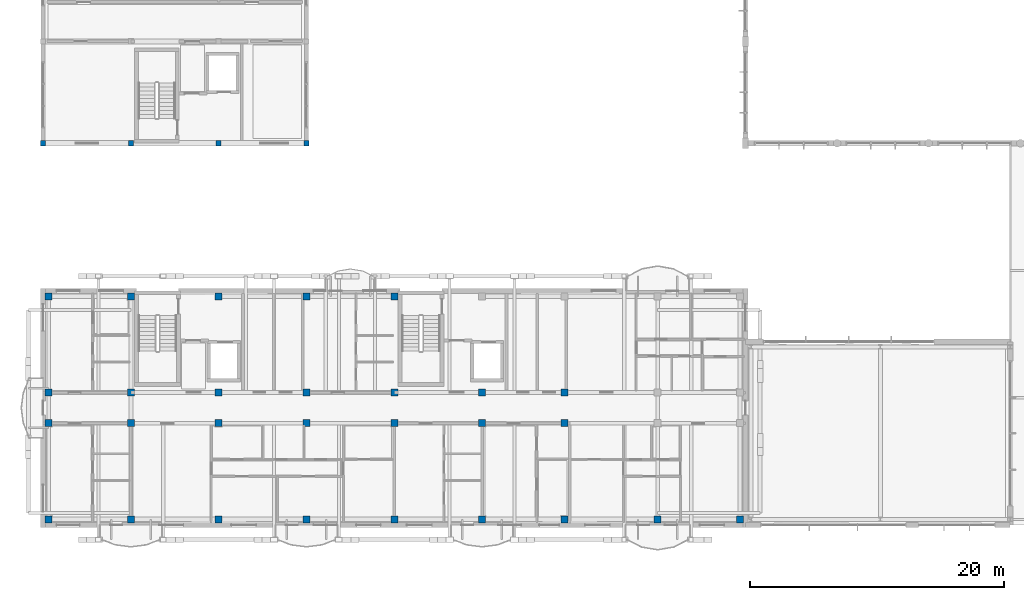
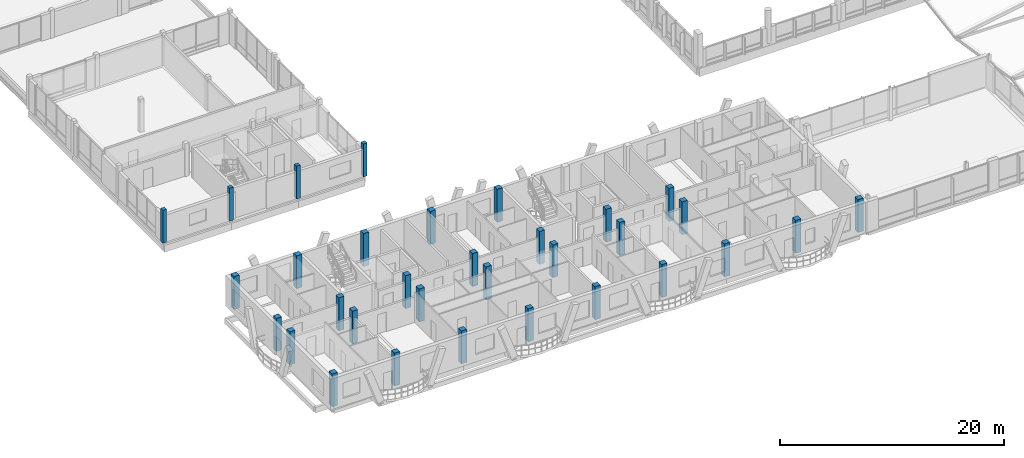
# One storey, part 1 of 189: 32 columns.
"""IFC4 building model written with IfcOpenShell, lengths in metres."""

from ifc_helpers import new_model, si_unit, direction, frame, origin, origin_2d, place, context, subcontext, project, spatial, rectangle, extrude, material, material_profile, profile_set, type_object, element, save


model = new_model("IFC4")

# Units and contexts
model_context = context("Model", 3, precision=1e-05, world=origin(), true_north=direction((0.0, 1.0)))
body_context = subcontext(model_context, "Body", "Model", "MODEL_VIEW")
ifc_project = project(units=[si_unit("LENGTHUNIT", "METRE"), si_unit("AREAUNIT", "SQUARE_METRE"), si_unit("VOLUMEUNIT", "CUBIC_METRE"), si_unit("PLANEANGLEUNIT", "RADIAN"), si_unit("MASSUNIT", "GRAM", prefix="KILO")], contexts=[model_context])

# Site, building, storey
site_placement = place(None, origin())
site = spatial("IfcSite", under=ifc_project, at=site_placement, CompositionType="ELEMENT")
building_placement = place(site_placement, origin())
building = spatial("IfcBuilding", under=site, at=building_placement, Name="Zavelmont Quarter", CompositionType="ELEMENT")
storey_placement = place(building_placement, frame((0.0, 0.0, 4.39990234375)))
storey = spatial("IfcBuildingStorey", under=building, at=storey_placement, Name="L01", CompositionType="ELEMENT", Elevation=4.39990234375)

# Columns
ifc_material_1 = material(Name="Concrete C40/50", Category="concrete")
ifc_material_profile_1 = material_profile(ifc_material_1, rectangle(XDim=0.550048828125, YDim=0.550048828125, at=origin_2d()), Name="RC550X550")
ifc_profile_set_1 = profile_set([ifc_material_profile_1], Name="Concrete C40/50")
column_type_1 = type_object("IfcColumnType", Name="CL02", PredefinedType="COLUMN", material=ifc_profile_set_1)
for number, where, z_axis, x_axis, name in (
    (1, (0.43994140625, 0.43994140625, 0.0), (0.0, 0.0, 1.0), (1.0, 0.0, 0.0), "L01 column CL02 at 1/A"),
    (2, (0.43994140625, 8.0, 0.0), (0.0, 0.0, 1.0), (1.0, 0.0, 0.0), "L01 column CL02 at 1/B"),
    (3, (0.43994140625, 10.39990234375, 0.0), (0.0, 0.0, 1.0), (1.0, 0.0, 0.0), "L01 column CL02 at 1/C"),
    (4, (0.43994140625, 17.9599609375, 0.0), (0.0, 0.0, 1.0), (1.0, 0.0, 0.0), "L01 column CL02 at 1/D"),
    (5, (6.89990234375, 0.43994140625, 0.0), (0.0, 0.0, 1.0), (1.0, 0.0, 0.0), "L01 column CL02 at 2/A"),
    (6, (6.89990234375, 8.0, 0.0), (0.0, 0.0, 1.0), (1.0, 0.0, 0.0), "L01 column CL02 at 2/B"),
    (7, (6.89990234375, 10.39990234375, 0.0), (0.0, 0.0, 1.0), (1.0, 0.0, 0.0), "L01 column CL02 at 2/C"),
    (8, (6.89990234375, 17.9599609375, 0.0), (0.0, 0.0, 1.0), (1.0, 0.0, 0.0), "L01 column CL02 at 2/D"),
    (9, (13.800048828125, 0.43994140625, 0.0), (0.0, 0.0, 1.0), (1.0, 0.0, 0.0), "L01 column CL02 at 3/A"),
    (10, (13.800048828125, 8.0, 0.0), (0.0, 0.0, 1.0), (1.0, 0.0, 0.0), "L01 column CL02 at 3/B"),
    (11, (13.800048828125, 10.39990234375, 0.0), (0.0, 0.0, 1.0), (1.0, 0.0, 0.0), "L01 column CL02 at 3/C"),
    (12, (13.800048828125, 17.9599609375, 0.0), (0.0, 0.0, 1.0), (1.0, 0.0, 0.0), "L01 column CL02 at 3/D"),
    (13, (20.699951171875, 0.43994140625, 0.0), (0.0, 0.0, 1.0), (1.0, 0.0, 0.0), "L01 column CL02 at 4/A"),
    (14, (20.699951171875, 8.0, 0.0), (0.0, 0.0, 1.0), (1.0, 0.0, 0.0), "L01 column CL02 at 4/B"),
    (15, (20.699951171875, 10.39990234375, 0.0), (0.0, 0.0, 1.0), (1.0, 0.0, 0.0), "L01 column CL02 at 4/C"),
    (16, (20.699951171875, 17.9599609375, 0.0), (0.0, 0.0, 1.0), (1.0, 0.0, 0.0), "L01 column CL02 at 4/D"),
    (17, (27.60009765625, 0.43994140625, 0.0), (0.0, 0.0, 1.0), (1.0, 0.0, 0.0), "L01 column CL02 at 5/A"),
    (18, (27.60009765625, 8.0, 0.0), (0.0, 0.0, 1.0), (1.0, 0.0, 0.0), "L01 column CL02 at 5/B"),
    (19, (27.60009765625, 10.39990234375, 0.0), (0.0, 0.0, 1.0), (1.0, 0.0, 0.0), "L01 column CL02 at 5/C"),
    (20, (27.60009765625, 17.9599609375, 0.0), (0.0, 0.0, 1.0), (1.0, 0.0, 0.0), "L01 column CL02 at 5/D"),
    (21, (34.5, 0.43994140625, 0.0), (0.0, 0.0, 1.0), (1.0, 0.0, 0.0), "L01 column CL02 at 6/A"),
    (22, (34.5, 8.0, 0.0), (0.0, 0.0, 1.0), (1.0, 0.0, 0.0), "L01 column CL02 at 6/B"),
    (23, (34.5, 10.39990234375, 0.0), (0.0, 0.0, 1.0), (1.0, 0.0, 0.0), "L01 column CL02 at 6/C"),
    (24, (40.9599609375, 0.43994140625, 0.0), (0.0, 0.0, 1.0), (1.0, 0.0, 0.0), "L01 column CL02 at 7/A"),
    (25, (40.9599609375, 8.0, 0.0), (0.0, 0.0, 1.0), (1.0, 0.0, 0.0), "L01 column CL02 at 7/B"),
    (26, (40.9599609375, 10.39990234375, 0.0), (0.0, 0.0, 1.0), (1.0, 0.0, 0.0), "L01 column CL02 at 7/C"),
    (27, (48.300048828125, 0.43994140625, 0.0), (0.0, 0.0, 1.0), (1.0, 0.0, 0.0), "L01 column CL02 at 8/A"),
    (28, (54.760009765625, 0.43994140625, 0.0), (0.0, 0.0, 1.0), (1.0, 0.0, 0.0), "L01 column CL02 at 9/A"),
):
    element("IfcColumn", number, at=place(storey_placement, frame(where, z_axis=z_axis, x_axis=x_axis)), inside=storey, type_object=column_type_1, Name=name, PredefinedType="COLUMN", context=body_context, shape_type="SweptSolid", body=[
        extrude(rectangle(XDim=0.550048828125, YDim=0.550048828125, at=origin_2d()), origin(), (0.0, 0.0, 1.0), 3.60009765625),
    ])
ifc_material_2 = material(Name="Concrete C35/45", Category="concrete")
ifc_material_profile_2 = material_profile(ifc_material_2, rectangle(XDim=0.39990234375, YDim=0.39990234375, at=origin_2d()), Name="RC400X400")
ifc_profile_set_2 = profile_set([ifc_material_profile_2], Name="Concrete C35/45")
column_type_2 = type_object("IfcColumnType", Name="CL05", PredefinedType="COLUMN", material=ifc_profile_set_2)
for number, where, z_axis, x_axis, name in (
    (29, (0.0, 30.0, 0.0), (0.0, 0.0, 1.0), (1.0, 0.0, 0.0), "L01 column CL05 at 1/F"),
    (30, (6.89990234375, 30.0, 0.0), (0.0, 0.0, 1.0), (1.0, 0.0, 0.0), "L01 column CL05 at 2/F"),
    (31, (13.800048828125, 30.0, 0.0), (0.0, 0.0, 1.0), (1.0, 0.0, 0.0), "L01 column CL05 at 3/F"),
    (32, (20.699951171875, 30.0, 0.0), (0.0, 0.0, 1.0), (1.0, 0.0, 0.0), "L01 column CL05 at 4/F"),
):
    element("IfcColumn", number, at=place(storey_placement, frame(where, z_axis=z_axis, x_axis=x_axis)), inside=storey, type_object=column_type_2, Name=name, PredefinedType="COLUMN", context=body_context, shape_type="SweptSolid", body=[
        extrude(rectangle(XDim=0.39990234375, YDim=0.39990234375, at=origin_2d()), origin(), (0.0, 0.0, 1.0), 3.60009765625),
    ])

save(model, "model.ifc")
